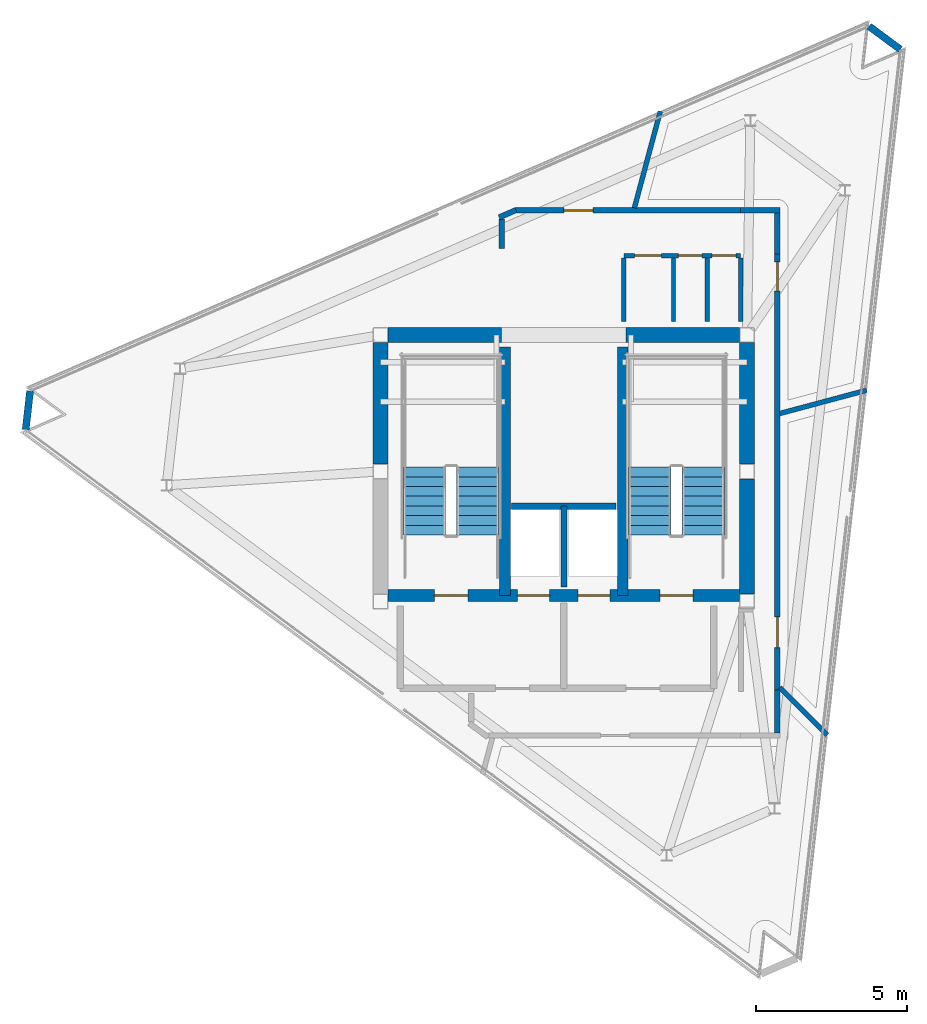
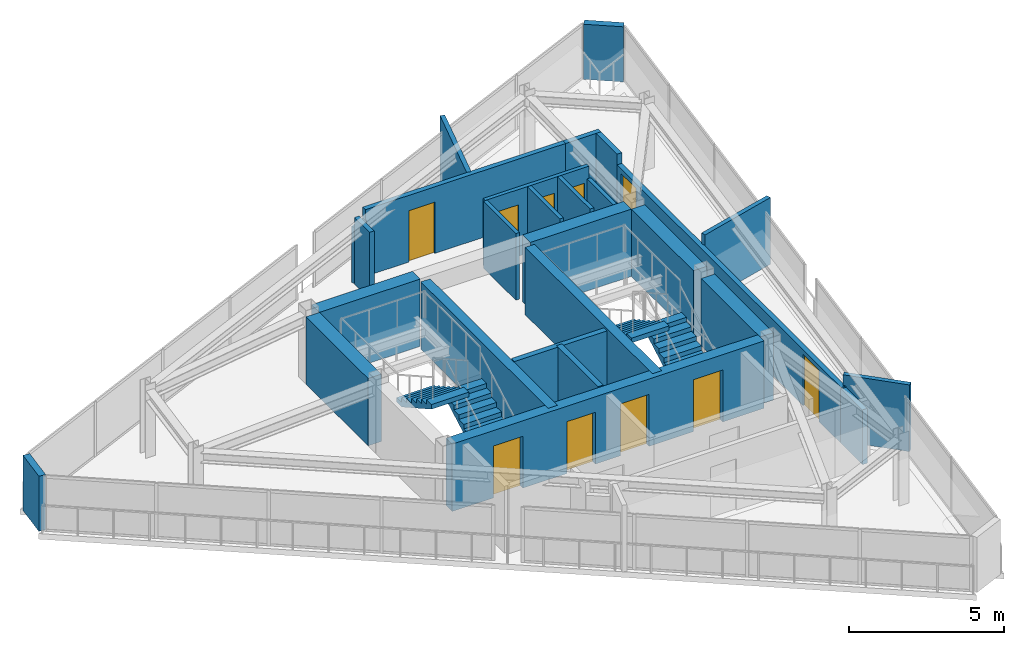
# One storey, part 7 of 9: 27 walls, 10 doors, 4 stair flights, 10 openings, 2 elements without a shape of their own.
"""IFC4 building model written with IfcOpenShell, lengths in metres."""

from ifc_helpers import new_model, si_unit, direction, frame, frame_2d, origin, place, context, subcontext, project, spatial, polyline, rectangle, outline, extrude, material, layer, layer_set, type_object, element, fill, aggregate, save


model = new_model("IFC4")

# Units and contexts
model_context = context("Model", 3, precision=1e-05, world=origin(), true_north=direction((0.0, 1.0)))
body_context = subcontext(model_context, "Body", "Model", "MODEL_VIEW")
ifc_project = project(units=[si_unit("LENGTHUNIT", "METRE"), si_unit("AREAUNIT", "SQUARE_METRE"), si_unit("VOLUMEUNIT", "CUBIC_METRE"), si_unit("PLANEANGLEUNIT", "RADIAN"), si_unit("MASSUNIT", "GRAM", prefix="KILO")], contexts=[model_context])

# Site, building, storey
site_placement = place(None, origin())
site = spatial("IfcSite", under=ifc_project, at=site_placement, CompositionType="ELEMENT")
building_placement = place(site_placement, origin())
building = spatial("IfcBuilding", under=site, at=building_placement, Name="Rocaltana Carrier Exchange", CompositionType="ELEMENT")
storey_placement = place(building_placement, frame((0.0, 0.0, 243.360107421875)))
storey = spatial("IfcBuildingStorey", under=building, at=storey_placement, Name="L77", CompositionType="ELEMENT", Elevation=243.360107421875)

# Walls
ifc_material_1 = material(Name="Double Acoustic Gypsum Partition", Category="gypsum")
ifc_layer_1 = layer(ifc_material_1, 0.159912109375)
ifc_layer_set_1 = layer_set([ifc_layer_1], Name="Double Acoustic Gypsum Partition")
wall_type_1 = type_object("IfcWallType", Name="Acoustic Studio Partition 160 EI60", PredefinedType="PARTITIONING", material=ifc_layer_set_1)
wall_1_placement = place(storey_placement, frame((7.1298828125, -7.1298828125, 0.0), z_axis=(0.0, 0.0, 1.0), x_axis=(0.707106781187, -0.707106781187, 0.0)))
element("IfcWall", 1, at=wall_1_placement, inside=storey, type_object=wall_type_1, Name="L77 Suite Divider Wall D2", PredefinedType="PARTITIONING", context=body_context, shape_type="SweptSolid", body=[
    extrude(rectangle(XDim=2.22412109375, YDim=0.159912109375, at=frame_2d((1.112060546875, 0.0))), origin(), (0.0, 0.0, 1.0), 2.622802734375),
])
wall_2_placement = place(storey_placement, frame((7.1298828125, 1.910400390625, 0.0), z_axis=(0.0, 0.0, 1.0), x_axis=(0.965935580448, 0.258782639342, 0.0)))
element("IfcWall", 2, at=wall_2_placement, inside=storey, type_object=wall_type_1, Name="L77 Suite Divider Wall D3", PredefinedType="PARTITIONING", context=body_context, shape_type="SweptSolid", body=[
    extrude(rectangle(XDim=2.970947265625, YDim=0.159912109375, at=frame_2d((1.4853515625, 0.0))), origin(), (0.0, 0.0, 1.0), 2.622802734375),
])
wall_3_placement = place(storey_placement, frame((2.331298828125, 8.699951171875, 0.0), z_axis=(0.0, 0.0, 1.0), x_axis=(0.258776761059, 0.965937155273, 0.0)))
element("IfcWall", 3, at=wall_3_placement, inside=storey, type_object=wall_type_1, Name="L77 Suite Divider Wall D4", PredefinedType="PARTITIONING", context=body_context, shape_type="SweptSolid", body=[
    extrude(rectangle(XDim=3.300048828125, YDim=0.159912109375, at=frame_2d((1.64990234375, 0.0))), origin(), (0.0, 0.0, 1.0), 2.622802734375),
])
ifc_material_2 = material(Name="Concrete C50/60", Category="concrete")
ifc_layer_2 = layer(ifc_material_2, 0.35009765625)
ifc_layer_set_2 = layer_set([ifc_layer_2], Name="Concrete C50/60")
wall_type_2 = type_object("IfcWallType", Name="Core Internal Shear Wall 350", PredefinedType="SHEAR", material=ifc_layer_set_2)
for number, where, z_axis, x_axis, name in (
    (4, (-1.93994140625, -4.10009765625, 0.0), (0.0, 0.0, 1.0), (0.0, 1.0, 0.0), "L77 Core Shear Wall CW-STW"),
    (5, (1.93994140625, -4.10009765625, 0.0), (0.0, 0.0, 1.0), (0.0, 1.0, 0.0), "L77 Core Shear Wall CW-STE"),
):
    element("IfcWall", number, at=place(storey_placement, frame(where, z_axis=z_axis, x_axis=x_axis)), inside=storey, type_object=wall_type_2, Name=name, PredefinedType="SHEAR", context=body_context, shape_type="SweptSolid", body=[
        extrude(rectangle(XDim=8.2001953125, YDim=0.35009765625, at=frame_2d((4.10009765625, 0.0))), origin(), (0.0, 0.0, 1.0), 2.64794921875),
    ])

# Wall, openings, doors
ifc_material_3 = material(Name="Concrete C50/60", Category="concrete")
ifc_layer_3 = layer(ifc_material_3, 0.39990234375)
ifc_layer_set_3 = layer_set([ifc_layer_3], Name="Concrete C50/60")
wall_type_3 = type_object("IfcWallType", Name="Core Internal Shear Wall 400", PredefinedType="SHEAR", material=ifc_layer_set_3)
wall_4_placement = place(storey_placement, frame((-5.800048828125, -4.10009765625, 0.0), z_axis=(0.0, 0.0, 1.0), x_axis=(1.0, 0.0, 0.0)))
wall_4 = element("IfcWall", 6, at=wall_4_placement, inside=storey, type_object=wall_type_3, Name="L77 Core Shear Wall CW-S", PredefinedType="SHEAR", context=body_context, shape_type="SweptSolid", body=[
    extrude(rectangle(XDim=11.60009765625, YDim=0.39990234375, at=frame_2d((5.800048828125, 0.0))), origin(), (0.0, 0.0, 1.0), 2.64794921875),
])
opening_1_placement = place(wall_4_placement, frame((1.530029296875, 0.0, 0.0)))
opening_1 = element("IfcOpeningElement", 7, at=opening_1_placement, cuts=wall_4, Name="Opening D-ST110", PredefinedType="OPENING", context=body_context, shape_type="SweptSolid", body=[
    extrude(rectangle(XDim=1.10009765625, YDim=2.0400390625, at=frame_2d((0.550048828125, 1.02001953125))), frame((0.0, 0.2099609375, 0.0), z_axis=(0.0, -1.0, 0.0), x_axis=(1.0, 0.0, 0.0)), (0.0, 0.0, 1.0), 0.419921875),
])
opening_2_placement = place(wall_4_placement, frame((8.969970703125, 0.0, 0.0)))
opening_2 = element("IfcOpeningElement", 8, at=opening_2_placement, cuts=wall_4, Name="Opening D-ST110", PredefinedType="OPENING", context=body_context, shape_type="SweptSolid", body=[
    extrude(rectangle(XDim=1.10009765625, YDim=2.0400390625, at=frame_2d((0.550048828125, 1.02001953125))), frame((0.0, 0.2099609375, 0.0), z_axis=(0.0, -1.0, 0.0), x_axis=(1.0, 0.0, 0.0)), (0.0, 0.0, 1.0), 0.419921875),
])
opening_3_placement = place(wall_4_placement, frame((4.27001953125, 0.0, 0.0)))
opening_3 = element("IfcOpeningElement", 9, at=opening_3_placement, cuts=wall_4, Name="Opening LD-110", PredefinedType="OPENING", context=body_context, shape_type="SweptSolid", body=[
    extrude(rectangle(XDim=1.06005859375, YDim=2.0400390625, at=frame_2d((0.530029296875, 1.02001953125))), frame((0.0, 0.2099609375, 0.0), z_axis=(0.0, -1.0, 0.0), x_axis=(1.0, 0.0, 0.0)), (0.0, 0.0, 1.0), 0.419921875),
])
opening_4_placement = place(wall_4_placement, frame((6.27001953125, 0.0, 0.0)))
opening_4 = element("IfcOpeningElement", 10, at=opening_4_placement, cuts=wall_4, Name="Opening LD-110", PredefinedType="OPENING", context=body_context, shape_type="SweptSolid", body=[
    extrude(rectangle(XDim=1.06005859375, YDim=2.0400390625, at=frame_2d((0.530029296875, 1.02001953125))), frame((0.0, 0.2099609375, 0.0), z_axis=(0.0, -1.0, 0.0), x_axis=(1.0, 0.0, 0.0)), (0.0, 0.0, 1.0), 0.419921875),
])
ifc_material_4 = material(Name="Hollow Metal Fire Door Assembly", Category="steel")
door_type_1 = type_object("IfcDoorType", Name="Exit Stair Fire Door 1100x2040 FD90S", OperationType="NOTDEFINED", PredefinedType="DOOR", material=ifc_material_4)
door_1_placement = place(opening_1_placement, origin())
door_1 = element("IfcDoor", 11, at=door_1_placement, inside=storey, type_object=door_type_1, Name="L77 Exit Stair ST1 Fire Door", OperationType="SINGLE_SWING_LEFT", OverallHeight=2.0400390625, OverallWidth=1.10009765625, PredefinedType="DOOR", context=body_context, shape_type="SweptSolid", body=[
    extrude(rectangle(XDim=1.10009765625, YDim=2.0400390625, at=frame_2d((0.550048828125, 1.02001953125))), frame((0.0, 0.02490234375, 0.0), z_axis=(0.0, -1.0, 0.0), x_axis=(1.0, 0.0, 0.0)), (0.0, 0.0, 1.0), 0.050048828125),
])
fill(opening_1, door_1)
door_2_placement = place(opening_2_placement, origin())
door_2 = element("IfcDoor", 12, at=door_2_placement, inside=storey, type_object=door_type_1, Name="L77 Exit Stair ST2 Fire Door", OperationType="SINGLE_SWING_RIGHT", OverallHeight=2.0400390625, OverallWidth=1.10009765625, PredefinedType="DOOR", context=body_context, shape_type="SweptSolid", body=[
    extrude(rectangle(XDim=1.10009765625, YDim=2.0400390625, at=frame_2d((0.550048828125, 1.02001953125))), frame((0.0, 0.02490234375, 0.0), z_axis=(0.0, -1.0, 0.0), x_axis=(1.0, 0.0, 0.0)), (0.0, 0.0, 1.0), 0.050048828125),
])
fill(opening_2, door_2)
ifc_material_5 = material(Name="Brushed Stainless Sliding Door Leaf", Category="steel")
door_type_2 = type_object("IfcDoorType", Name="Lift Landing Sliding Door 1060x2040", OperationType="NOTDEFINED", PredefinedType="DOOR", material=ifc_material_5)
door_3_placement = place(opening_3_placement, origin())
door_3 = element("IfcDoor", 13, at=door_3_placement, inside=storey, type_object=door_type_2, Name="L77 Firefighting Lift FFL1 Landing Door", OperationType="SLIDING_TO_LEFT", OverallHeight=2.0400390625, OverallWidth=1.06005859375, PredefinedType="DOOR", context=body_context, shape_type="SweptSolid", body=[
    extrude(rectangle(XDim=1.06005859375, YDim=2.0400390625, at=frame_2d((0.530029296875, 1.02001953125))), frame((0.0, 0.02490234375, 0.0), z_axis=(0.0, -1.0, 0.0), x_axis=(1.0, 0.0, 0.0)), (0.0, 0.0, 1.0), 0.050048828125),
])
fill(opening_3, door_3)
door_4_placement = place(opening_4_placement, origin())
door_4 = element("IfcDoor", 14, at=door_4_placement, inside=storey, type_object=door_type_2, Name="L77 Firefighting Lift FFL2 Landing Door", OperationType="SLIDING_TO_RIGHT", OverallHeight=2.0400390625, OverallWidth=1.06005859375, PredefinedType="DOOR", context=body_context, shape_type="SweptSolid", body=[
    extrude(rectangle(XDim=1.06005859375, YDim=2.0400390625, at=frame_2d((0.530029296875, 1.02001953125))), frame((0.0, 0.02490234375, 0.0), z_axis=(0.0, -1.0, 0.0), x_axis=(1.0, 0.0, 0.0)), (0.0, 0.0, 1.0), 0.050048828125),
])
fill(opening_4, door_4)

# Walls
ifc_material_6 = material(Name="Concrete C50/60", Category="concrete")
ifc_layer_4 = layer(ifc_material_6, 0.5)
ifc_layer_set_4 = layer_set([ifc_layer_4], Name="Concrete C50/60")
wall_type_4 = type_object("IfcWallType", Name="Core Shear Wall 500", PredefinedType="SHEAR", material=ifc_layer_set_4)
for number, where, z_axis, x_axis, name in (
    (15, (-6.050048828125, 0.25, 0.0), (0.0, 0.0, 1.0), (0.0, 1.0, 0.0), "L77 Core Shear Wall CW-WN"),
    (16, (6.050048828125, 0.25, 0.0), (0.0, 0.0, 1.0), (0.0, 1.0, 0.0), "L77 Core Shear Wall CW-EN"),
):
    element("IfcWall", number, at=place(storey_placement, frame(where, z_axis=z_axis, x_axis=x_axis)), inside=storey, type_object=wall_type_4, Name=name, PredefinedType="SHEAR", context=body_context, shape_type="SweptSolid", body=[
        extrude(rectangle(XDim=4.0, YDim=0.5, at=frame_2d((2.0, 0.0))), origin(), (0.0, 0.0, 1.0), 2.64794921875),
    ])
wall_5_placement = place(storey_placement, frame((6.050048828125, -4.050048828125, 0.0), z_axis=(0.0, 0.0, 1.0), x_axis=(0.0, 1.0, 0.0)))
element("IfcWall", 17, at=wall_5_placement, inside=storey, type_object=wall_type_4, Name="L77 Core Shear Wall CW-ES", PredefinedType="SHEAR", context=body_context, shape_type="SweptSolid", body=[
    extrude(rectangle(XDim=3.800048828125, YDim=0.5, at=frame_2d((1.89990234375, 0.0))), origin(), (0.0, 0.0, 1.0), 2.64794921875),
])
for number, where, z_axis, x_axis, name in (
    (18, (-5.800048828125, 4.5, 0.0), (0.0, 0.0, 1.0), (1.0, 0.0, 0.0), "L77 Core Shear Wall CW-N1"),
    (19, (2.050048828125, 4.5, 0.0), (0.0, 0.0, 1.0), (1.0, 0.0, 0.0), "L77 Core Shear Wall CW-N2"),
):
    element("IfcWall", number, at=place(storey_placement, frame(where, z_axis=z_axis, x_axis=x_axis)), inside=storey, type_object=wall_type_4, Name=name, PredefinedType="SHEAR", context=body_context, shape_type="SweptSolid", body=[
        extrude(rectangle(XDim=3.75, YDim=0.5, at=frame_2d((1.875, 0.0))), origin(), (0.0, 0.0, 1.0), 2.64794921875),
    ])
ifc_material_7 = material(Name="Gypsum & Steel Stud Partition", Category="steel")
ifc_layer_5 = layer(ifc_material_7, 0.179931640625)
ifc_layer_set_5 = layer_set([ifc_layer_5], Name="Gypsum & Steel Stud Partition")
wall_type_5 = type_object("IfcWallType", Name="Corridor Fire Partition 180 EI60", PredefinedType="PARTITIONING", material=ifc_layer_set_5)
wall_6_placement = place(storey_placement, frame((-2.050048828125, 7.360107421875, 0.0), z_axis=(0.0, 0.0, 1.0), x_axis=(0.0, 1.0, 0.0)))
element("IfcWall", 20, at=wall_6_placement, inside=storey, type_object=wall_type_5, Name="L77 Corridor Partition 6", PredefinedType="PARTITIONING", context=body_context, shape_type="SweptSolid", body=[
    extrude(rectangle(XDim=0.972900390625, YDim=0.179931640625, at=frame_2d((0.486328125, 0.0))), origin(), (0.0, 0.0, 1.0), 2.622802734375),
])
wall_7_placement = place(storey_placement, frame((-2.132568359375, 8.386962890625, 0.0), z_axis=(0.0, 0.0, 1.0), x_axis=(0.917063633355, 0.398740883754, 0.0)))
element("IfcWall", 21, at=wall_7_placement, inside=storey, type_object=wall_type_5, Name="L77 Corridor Partition 7", PredefinedType="PARTITIONING", context=body_context, shape_type="SweptSolid", body=[
    extrude(rectangle(XDim=0.604248046875, YDim=0.179931640625, at=frame_2d((0.30224609375, 0.0))), origin(), (0.0, 0.0, 1.0), 2.202880859375),
])

# Wall, opening, door
wall_8_placement = place(storey_placement, frame((-1.61669921875, 8.6201171875, 0.0), z_axis=(0.0, 0.0, 1.0), x_axis=(1.0, 0.0, 0.0)))
wall_8 = element("IfcWall", 22, at=wall_8_placement, inside=storey, type_object=wall_type_5, Name="L77 Corridor Partition 8", PredefinedType="PARTITIONING", context=body_context, shape_type="SweptSolid", body=[
    extrude(rectangle(XDim=7.48681640625, YDim=0.179931640625, at=frame_2d((3.743408203125, 0.0))), origin(), (0.0, 0.0, 1.0), 2.622802734375),
])
opening_5_placement = place(wall_8_placement, frame((1.623046875, 0.0, 0.0)))
opening_5 = element("IfcOpeningElement", 23, at=opening_5_placement, cuts=wall_8, Name="Opening D-RM098", PredefinedType="OPENING", context=body_context, shape_type="SweptSolid", body=[
    extrude(rectangle(XDim=0.9599609375, YDim=2.02001953125, at=frame_2d((0.47998046875, 1.010009765625))), frame((0.0, 0.099853515625, 0.0), z_axis=(0.0, -1.0, 0.0), x_axis=(1.0, 0.0, 0.0)), (0.0, 0.0, 1.0), 0.199951171875),
])
ifc_material_8 = material(Name="Engineered Hardwood Timber", Category="wood")
door_type_3 = type_object("IfcDoorType", Name="Workspace Single Door 960x2020", OperationType="NOTDEFINED", PredefinedType="DOOR", material=ifc_material_8)
door_5_placement = place(opening_5_placement, origin())
door_5 = element("IfcDoor", 24, at=door_5_placement, inside=storey, type_object=door_type_3, Name="L77 Quiet Focus Lounge Entrance Door", OperationType="SINGLE_SWING_LEFT", OverallHeight=2.02001953125, OverallWidth=0.9599609375, PredefinedType="DOOR", context=body_context, shape_type="SweptSolid", body=[
    extrude(rectangle(XDim=0.9599609375, YDim=2.02001953125, at=frame_2d((0.47998046875, 1.010009765625))), frame((0.0, 0.02490234375, 0.0), z_axis=(0.0, -1.0, 0.0), x_axis=(1.0, 0.0, 0.0)), (0.0, 0.0, 1.0), 0.050048828125),
])
fill(opening_5, door_5)

# Walls
wall_9_placement = place(storey_placement, frame((5.830078125, 8.6201171875, 0.0), z_axis=(0.0, 0.0, 1.0), x_axis=(1.0, 0.0, 0.0)))
element("IfcWall", 25, at=wall_9_placement, inside=storey, type_object=wall_type_5, Name="L77 Corridor Partition 9", PredefinedType="PARTITIONING", context=body_context, shape_type="SweptSolid", body=[
    extrude(rectangle(XDim=1.309814453125, YDim=0.179931640625, at=frame_2d((0.65478515625, 0.0))), origin(), (0.0, 0.0, 1.0), 2.622802734375),
])
wall_10_placement = place(storey_placement, frame((7.050048828125, 8.530029296875, 0.0), z_axis=(0.0, 0.0, 1.0), x_axis=(0.0, -1.0, 0.0)))
element("IfcWall", 26, at=wall_10_placement, inside=storey, type_object=wall_type_5, Name="L77 Corridor Partition 10", PredefinedType="PARTITIONING", context=body_context, shape_type="SweptSolid", body=[
    extrude(rectangle(XDim=1.35009765625, YDim=0.179931640625, at=frame_2d((0.675048828125, 0.0))), origin(), (0.0, 0.0, 1.0), 2.622802734375),
])

# Wall, openings, doors
wall_11_placement = place(storey_placement, frame((7.050048828125, 7.219970703125, 0.0), z_axis=(0.0, 0.0, 1.0), x_axis=(0.0, -1.0, 0.0)))
wall_11 = element("IfcWall", 27, at=wall_11_placement, inside=storey, type_object=wall_type_5, Name="L77 Corridor Partition 11", PredefinedType="PARTITIONING", context=body_context, shape_type="SweptSolid", body=[
    extrude(rectangle(XDim=14.47998046875, YDim=0.179931640625, at=frame_2d((7.239990234375, 0.0))), origin(), (0.0, 0.0, 1.0), 2.202880859375),
])
opening_6_placement = place(wall_11_placement, frame((12.019287109375, 0.0, 0.0)))
opening_6 = element("IfcOpeningElement", 28, at=opening_6_placement, cuts=wall_11, Name="Opening D-LB104", PredefinedType="OPENING", context=body_context, shape_type="SweptSolid", body=[
    extrude(rectangle(XDim=1.02001953125, YDim=2.02001953125, at=frame_2d((0.510009765625, 1.010009765625))), frame((0.0, 0.099853515625, 0.0), z_axis=(0.0, -1.0, 0.0), x_axis=(1.0, 0.0, 0.0)), (0.0, 0.0, 1.0), 0.199951171875),
])
opening_7_placement = place(wall_11_placement, frame((0.30029296875, 0.0, 0.0)))
opening_7 = element("IfcOpeningElement", 29, at=opening_7_placement, cuts=wall_11, Name="Opening D-RM098", PredefinedType="OPENING", context=body_context, shape_type="SweptSolid", body=[
    extrude(rectangle(XDim=0.9599609375, YDim=2.02001953125, at=frame_2d((0.47998046875, 1.010009765625))), frame((0.0, 0.099853515625, 0.0), z_axis=(0.0, -1.0, 0.0), x_axis=(1.0, 0.0, 0.0)), (0.0, 0.0, 1.0), 0.199951171875),
])
ifc_material_9 = material(Name="Powder-Coated Aluminium 6063-T6", Category="aluminium")
door_type_4 = type_object("IfcDoorType", Name="Laboratory Acoustic Door 1020x2020", OperationType="NOTDEFINED", PredefinedType="DOOR", material=ifc_material_9)
door_6_placement = place(opening_6_placement, origin())
door_6 = element("IfcDoor", 30, at=door_6_placement, inside=storey, type_object=door_type_4, Name="L77 Optical Switching Laboratory Entrance Door", OperationType="SINGLE_SWING_LEFT", OverallHeight=2.02001953125, OverallWidth=1.02001953125, PredefinedType="DOOR", context=body_context, shape_type="SweptSolid", body=[
    extrude(rectangle(XDim=1.02001953125, YDim=2.02001953125, at=frame_2d((0.510009765625, 1.010009765625))), frame((0.0, 0.02490234375, 0.0), z_axis=(0.0, -1.0, 0.0), x_axis=(1.0, 0.0, 0.0)), (0.0, 0.0, 1.0), 0.050048828125),
])
fill(opening_6, door_6)
door_7_placement = place(opening_7_placement, origin())
door_7 = element("IfcDoor", 31, at=door_7_placement, inside=storey, type_object=door_type_3, Name="L77 Peering Conference Room Entrance Door", OperationType="SINGLE_SWING_RIGHT", OverallHeight=2.02001953125, OverallWidth=0.9599609375, PredefinedType="DOOR", context=body_context, shape_type="SweptSolid", body=[
    extrude(rectangle(XDim=0.9599609375, YDim=2.02001953125, at=frame_2d((0.47998046875, 1.010009765625))), frame((0.0, 0.02490234375, 0.0), z_axis=(0.0, -1.0, 0.0), x_axis=(1.0, 0.0, 0.0)), (0.0, 0.0, 1.0), 0.050048828125),
])
fill(opening_7, door_7)

# Walls
wall_12_placement = place(storey_placement, frame((7.050048828125, -7.219970703125, 0.0), z_axis=(0.0, 0.0, 1.0), x_axis=(0.0, -1.0, 0.0)))
element("IfcWall", 32, at=wall_12_placement, inside=storey, type_object=wall_type_5, Name="L77 Corridor Partition 12", PredefinedType="PARTITIONING", context=body_context, shape_type="SweptSolid", body=[
    extrude(rectangle(XDim=1.409912109375, YDim=0.179931640625, at=frame_2d((0.705078125, 0.0))), origin(), (0.0, 0.0, 1.0), 2.15283203125),
])
ifc_material_10 = material(Name="Reinforced Concrete Block C35/45", Category="concrete")
ifc_layer_6 = layer(ifc_material_10, 0.199951171875)
ifc_layer_set_6 = layer_set([ifc_layer_6], Name="Reinforced Concrete Block C35/45")
wall_type_6 = type_object("IfcWallType", Name="Lift Hoistway Enclosure Wall 200 EI120", PredefinedType="PARTITIONING", material=ifc_layer_set_6)
wall_13_placement = place(storey_placement, frame((0.0, -3.820068359375, 0.0), z_axis=(0.0, 0.0, 1.0), x_axis=(0.0, 1.0, 0.0)))
element("IfcWall", 33, at=wall_13_placement, inside=storey, type_object=wall_type_6, Name="L77 FFL Shaft Divider", PredefinedType="PARTITIONING", context=body_context, shape_type="SweptSolid", body=[
    extrude(rectangle(XDim=2.670166015625, YDim=0.199951171875, at=frame_2d((1.3349609375, 0.0))), origin(), (0.0, 0.0, 1.0), 2.622802734375),
])
wall_14_placement = place(storey_placement, frame((-1.719970703125, -1.14990234375, 0.0), z_axis=(0.0, 0.0, 1.0), x_axis=(1.0, 0.0, 0.0)))
element("IfcWall", 34, at=wall_14_placement, inside=storey, type_object=wall_type_6, Name="L77 FFL Shaft Back Wall", PredefinedType="PARTITIONING", context=body_context, shape_type="SweptSolid", body=[
    extrude(rectangle(XDim=3.43994140625, YDim=0.199951171875, at=frame_2d((1.719970703125, 0.0))), origin(), (0.0, 0.0, 1.0), 2.622802734375),
])
ifc_material_11 = material(Name="Precast sandstone concrete C40/50", Category="masonry")
ifc_layer_7 = layer(ifc_material_11, 0.239990234375)
ifc_layer_set_7 = layer_set([ifc_layer_7], Name="Precast sandstone concrete C40/50")
wall_type_7 = type_object("IfcWallType", Name="Terrace Stone Parapet Wall 240", PredefinedType="PARAPET", material=ifc_layer_set_7)
for number, where, z_axis, x_axis, name in (
    (35, (11.1103515625, 13.931884765625, 0.0), (0.0, 0.0, 1.0), (-0.803939758325, 0.5947107406, 0.0), "L77 Crown Corner Mullion Wall C1"),
    (36, (-17.62060546875, 2.656005859375, 0.0), (0.0, 0.0, 1.0), (-0.11313504355, -0.993579620323, 0.0), "L77 Crown Corner Mullion Wall C2"),
):
    element("IfcWall", number, at=place(storey_placement, frame(where, z_axis=z_axis, x_axis=x_axis)), inside=storey, type_object=wall_type_7, Name=name, PredefinedType="PARAPET", context=body_context, shape_type="SweptSolid", body=[
        extrude(rectangle(XDim=1.288330078125, YDim=0.239990234375, at=frame_2d((0.64404296875, 0.0))), origin(), (0.0, 0.0, 1.0), 2.16796875),
    ])
ifc_material_12 = material(Name="Moisture-Resistant Masonry C30/37", Category="masonry")
ifc_layer_8 = layer(ifc_material_12, 0.139892578125)
ifc_layer_set_8 = layer_set([ifc_layer_8], Name="Moisture-Resistant Masonry C30/37")
wall_type_8 = type_object("IfcWallType", Name="Wet-Area Sanitary Partition 140", PredefinedType="PARTITIONING", material=ifc_layer_set_8)
wall_15_placement = place(storey_placement, frame((1.97998046875, 4.949951171875, 0.0), z_axis=(0.0, 0.0, 1.0), x_axis=(0.0, 1.0, 0.0)))
element("IfcWall", 37, at=wall_15_placement, inside=storey, type_object=wall_type_8, Name="L77 Sanitary West Wall", PredefinedType="PARTITIONING", context=body_context, shape_type="SweptSolid", body=[
    extrude(rectangle(XDim=2.090087890625, YDim=0.139892578125, at=frame_2d((1.044921875, 0.0))), origin(), (0.0, 0.0, 1.0), 2.622802734375),
])
wall_16_placement = place(storey_placement, frame((5.840087890625, 4.949951171875, 0.0), z_axis=(0.0, 0.0, 1.0), x_axis=(0.0, 1.0, 0.0)))
element("IfcWall", 38, at=wall_16_placement, inside=storey, type_object=wall_type_8, Name="L77 Sanitary East Wall", PredefinedType="PARTITIONING", context=body_context, shape_type="SweptSolid", body=[
    extrude(rectangle(XDim=2.090087890625, YDim=0.139892578125, at=frame_2d((1.044921875, 0.0))), origin(), (0.0, 0.0, 1.0), 2.15283203125),
])

# Wall, openings, doors
wall_17_placement = place(storey_placement, frame((1.97998046875, 7.1201171875, 0.0), z_axis=(0.0, 0.0, 1.0), x_axis=(1.0, 0.0, 0.0)))
wall_17 = element("IfcWall", 39, at=wall_17_placement, inside=storey, type_object=wall_type_8, Name="L77 Sanitary North Wall", PredefinedType="PARTITIONING", context=body_context, shape_type="SweptSolid", body=[
    extrude(rectangle(XDim=3.860107421875, YDim=0.139892578125, at=frame_2d((1.93017578125, 0.0))), origin(), (0.0, 0.0, 1.0), 2.622802734375),
])
opening_8_placement = place(wall_17_placement, frame((0.360107421875, 0.0, 0.0)))
opening_8 = element("IfcOpeningElement", 40, at=opening_8_placement, cuts=wall_17, Name="Opening D-WC090", PredefinedType="OPENING", context=body_context, shape_type="SweptSolid", body=[
    extrude(rectangle(XDim=0.8798828125, YDim=2.02001953125, at=frame_2d((0.43994140625, 1.010009765625))), frame((0.0, 0.079833984375, 0.0), z_axis=(0.0, -1.0, 0.0), x_axis=(1.0, 0.0, 0.0)), (0.0, 0.0, 1.0), 0.159912109375),
])
opening_9_placement = place(wall_17_placement, frame((1.800048828125, 0.0, 0.0)))
opening_9 = element("IfcOpeningElement", 41, at=opening_9_placement, cuts=wall_17, Name="Opening D-RS082", PredefinedType="OPENING", context=body_context, shape_type="SweptSolid", body=[
    extrude(rectangle(XDim=0.780029296875, YDim=2.010009765625, at=frame_2d((0.39013671875, 1.0048828125))), frame((0.0, 0.079833984375, 0.0), z_axis=(0.0, -1.0, 0.0), x_axis=(1.0, 0.0, 0.0)), (0.0, 0.0, 1.0), 0.159912109375),
])
opening_10_placement = place(wall_17_placement, frame((2.919921875, 0.0, 0.0)))
opening_10 = element("IfcOpeningElement", 42, at=opening_10_placement, cuts=wall_17, Name="Opening D-RS082", PredefinedType="OPENING", context=body_context, shape_type="SweptSolid", body=[
    extrude(rectangle(XDim=0.780029296875, YDim=2.010009765625, at=frame_2d((0.39013671875, 1.0048828125))), frame((0.0, 0.079833984375, 0.0), z_axis=(0.0, -1.0, 0.0), x_axis=(1.0, 0.0, 0.0)), (0.0, 0.0, 1.0), 0.159912109375),
])
ifc_material_13 = material(Name="High-Pressure Laminate Timber", Category="wood")
door_type_5 = type_object("IfcDoorType", Name="Restroom & Accessible WC Door 880x2020", OperationType="NOTDEFINED", PredefinedType="DOOR", material=ifc_material_13)
door_8_placement = place(opening_8_placement, origin())
door_8 = element("IfcDoor", 43, at=door_8_placement, inside=storey, type_object=door_type_5, Name="L77 Accessible Toilet Door", OperationType="SINGLE_SWING_LEFT", OverallHeight=2.02001953125, OverallWidth=0.8798828125, PredefinedType="DOOR", context=body_context, shape_type="SweptSolid", body=[
    extrude(rectangle(XDim=0.8798828125, YDim=2.02001953125, at=frame_2d((0.43994140625, 1.010009765625))), frame((0.0, 0.02490234375, 0.0), z_axis=(0.0, -1.0, 0.0), x_axis=(1.0, 0.0, 0.0)), (0.0, 0.0, 1.0), 0.050048828125),
])
fill(opening_8, door_8)
ifc_material_14 = material(Name="Hollow Metal Access Door Leaf", Category="steel")
door_type_6 = type_object("IfcDoorType", Name="Riser & Service Closet Door 780x2010", OperationType="NOTDEFINED", PredefinedType="DOOR", material=ifc_material_14)
door_9_placement = place(opening_9_placement, origin())
door_9 = element("IfcDoor", 44, at=door_9_placement, inside=storey, type_object=door_type_6, Name="L77 Staff Restroom Door", OperationType="SINGLE_SWING_RIGHT", OverallHeight=2.010009765625, OverallWidth=0.780029296875, PredefinedType="DOOR", context=body_context, shape_type="SweptSolid", body=[
    extrude(rectangle(XDim=0.780029296875, YDim=2.010009765625, at=frame_2d((0.39013671875, 1.0048828125))), frame((0.0, 0.02490234375, 0.0), z_axis=(0.0, -1.0, 0.0), x_axis=(1.0, 0.0, 0.0)), (0.0, 0.0, 1.0), 0.050048828125),
])
fill(opening_9, door_9)
door_10_placement = place(opening_10_placement, origin())
door_10 = element("IfcDoor", 45, at=door_10_placement, inside=storey, type_object=door_type_6, Name="L77 Fibre Riser Closet Door", OperationType="SINGLE_SWING_LEFT", OverallHeight=2.010009765625, OverallWidth=0.780029296875, PredefinedType="DOOR", context=body_context, shape_type="SweptSolid", body=[
    extrude(rectangle(XDim=0.780029296875, YDim=2.010009765625, at=frame_2d((0.39013671875, 1.0048828125))), frame((0.0, 0.02490234375, 0.0), z_axis=(0.0, -1.0, 0.0), x_axis=(1.0, 0.0, 0.0)), (0.0, 0.0, 1.0), 0.050048828125),
])
fill(opening_10, door_10)

# Walls
for number, where, z_axis, x_axis, name in (
    (46, (3.6201171875, 4.949951171875, 0.0), (0.0, 0.0, 1.0), (0.0, 1.0, 0.0), "L77 Sanitary Divider 1"),
    (47, (4.739990234375, 4.949951171875, 0.0), (0.0, 0.0, 1.0), (0.0, 1.0, 0.0), "L77 Sanitary Divider 2"),
):
    element("IfcWall", number, at=place(storey_placement, frame(where, z_axis=z_axis, x_axis=x_axis)), inside=storey, type_object=wall_type_8, Name=name, PredefinedType="PARTITIONING", context=body_context, shape_type="SweptSolid", body=[
        extrude(rectangle(XDim=2.090087890625, YDim=0.139892578125, at=frame_2d((1.044921875, 0.0))), origin(), (0.0, 0.0, 1.0), 2.622802734375),
    ])

# Stair, stair flights
ifc_material_15 = material(Name="Precast concrete C45/55", Category="concrete")
stair_type = type_object("IfcStairType", Name="Standard Dog-Leg Stair 160", PredefinedType="HALF_TURN_STAIR", material=ifc_material_15)
stair_1_placement = place(storey_placement, origin())
stair_1 = element("IfcStair", 48, at=stair_1_placement, inside=storey, type_object=stair_type, Name="L77 Core West Exit Stair ST-1", PredefinedType="HALF_TURN_STAIR")
ifc_material_16 = material(Name="Precast concrete C45/55", Category="concrete")
stair_flight_type = type_object("IfcStairFlightType", Name="Precast Stair Flight 160", PredefinedType="STRAIGHT", material=ifc_material_16)
stair_flight_1_placement = place(storey_placement, frame((-2.840087890625, -2.10009765625, 0.0), z_axis=(0.0, 0.0, 1.0), x_axis=(0.0, 1.0, 0.0)))
stair_flight_1 = element("IfcStairFlight", 49, at=stair_flight_1_placement, type_object=stair_flight_type, Name="ST-1 flight 1", NumberOfRisers=8, NumberOfTreads=7, PredefinedType="STRAIGHT", RiserHeight=0.18, TreadLength=0.32, context=body_context, shape_type="SweptSolid", body=[
    extrude(outline(polyline([(0.0, 0.0), (0.0, 0.179931640625), (0.320068359375, 0.179931640625), (0.320068359375, 0.360107421875), (0.639892578125, 0.360107421875), (0.639892578125, 0.5400390625), (0.9599609375, 0.5400390625), (0.9599609375, 0.719970703125), (1.280029296875, 0.719970703125), (1.280029296875, 0.89990234375), (1.60009765625, 0.89990234375), (1.60009765625, 1.080078125), (1.919921875, 1.080078125), (1.919921875, 1.260009765625), (2.239990234375, 1.260009765625), (2.239990234375, 1.43994140625), (2.239990234375, 1.076416015625), (0.326171875, 0.0), (0.0, 0.0)])), frame((0.0, 0.699951171875, 0.0), z_axis=(0.0, -1.0, 0.0), x_axis=(1.0, 0.0, 0.0)), (0.0, 0.0, 1.0), 1.39990234375),
])
stair_flight_2_placement = place(storey_placement, frame((-4.60009765625, 0.139892578125, 1.43994140625), z_axis=(0.0, 0.0, 1.0), x_axis=(0.0, -1.0, 0.0)))
stair_flight_2 = element("IfcStairFlight", 50, at=stair_flight_2_placement, type_object=stair_flight_type, Name="ST-1 flight 2", NumberOfRisers=8, NumberOfTreads=7, PredefinedType="STRAIGHT", RiserHeight=0.18, TreadLength=0.32, context=body_context, shape_type="SweptSolid", body=[
    extrude(outline(polyline([(0.0, 0.0), (0.0, 0.179931640625), (0.320068359375, 0.179931640625), (0.320068359375, 0.360107421875), (0.639892578125, 0.360107421875), (0.639892578125, 0.5400390625), (0.9599609375, 0.5400390625), (0.9599609375, 0.719970703125), (1.280029296875, 0.719970703125), (1.280029296875, 0.89990234375), (1.60009765625, 0.89990234375), (1.60009765625, 1.080078125), (1.919921875, 1.080078125), (1.919921875, 1.260009765625), (2.239990234375, 1.260009765625), (2.239990234375, 1.43994140625), (2.239990234375, 1.076416015625), (0.326171875, 0.0), (0.0, 0.0)])), frame((0.0, 0.699951171875, 0.0), z_axis=(0.0, -1.0, 0.0), x_axis=(1.0, 0.0, 0.0)), (0.0, 0.0, 1.0), 1.39990234375),
])
aggregate(stair_1, [stair_flight_1, stair_flight_2])

stair_2_placement = place(storey_placement, origin())
stair_2 = element("IfcStair", 51, at=stair_2_placement, inside=storey, type_object=stair_type, Name="L77 Core East Exit Stair ST-2", PredefinedType="HALF_TURN_STAIR")
stair_flight_3_placement = place(storey_placement, frame((4.60009765625, -2.10009765625, 0.0), z_axis=(0.0, 0.0, 1.0), x_axis=(0.0, 1.0, 0.0)))
stair_flight_3 = element("IfcStairFlight", 52, at=stair_flight_3_placement, type_object=stair_flight_type, Name="ST-2 flight 1", NumberOfRisers=8, NumberOfTreads=7, PredefinedType="STRAIGHT", RiserHeight=0.18, TreadLength=0.32, context=body_context, shape_type="SweptSolid", body=[
    extrude(outline(polyline([(0.0, 0.0), (0.0, 0.179931640625), (0.320068359375, 0.179931640625), (0.320068359375, 0.360107421875), (0.639892578125, 0.360107421875), (0.639892578125, 0.5400390625), (0.9599609375, 0.5400390625), (0.9599609375, 0.719970703125), (1.280029296875, 0.719970703125), (1.280029296875, 0.89990234375), (1.60009765625, 0.89990234375), (1.60009765625, 1.080078125), (1.919921875, 1.080078125), (1.919921875, 1.260009765625), (2.239990234375, 1.260009765625), (2.239990234375, 1.43994140625), (2.239990234375, 1.076416015625), (0.326171875, 0.0), (0.0, 0.0)])), frame((0.0, 0.699951171875, 0.0), z_axis=(0.0, -1.0, 0.0), x_axis=(1.0, 0.0, 0.0)), (0.0, 0.0, 1.0), 1.39990234375),
])
stair_flight_4_placement = place(storey_placement, frame((2.840087890625, 0.139892578125, 1.43994140625), z_axis=(0.0, 0.0, 1.0), x_axis=(0.0, -1.0, 0.0)))
stair_flight_4 = element("IfcStairFlight", 53, at=stair_flight_4_placement, type_object=stair_flight_type, Name="ST-2 flight 2", NumberOfRisers=8, NumberOfTreads=7, PredefinedType="STRAIGHT", RiserHeight=0.18, TreadLength=0.32, context=body_context, shape_type="SweptSolid", body=[
    extrude(outline(polyline([(0.0, 0.0), (0.0, 0.179931640625), (0.320068359375, 0.179931640625), (0.320068359375, 0.360107421875), (0.639892578125, 0.360107421875), (0.639892578125, 0.5400390625), (0.9599609375, 0.5400390625), (0.9599609375, 0.719970703125), (1.280029296875, 0.719970703125), (1.280029296875, 0.89990234375), (1.60009765625, 0.89990234375), (1.60009765625, 1.080078125), (1.919921875, 1.080078125), (1.919921875, 1.260009765625), (2.239990234375, 1.260009765625), (2.239990234375, 1.43994140625), (2.239990234375, 1.076416015625), (0.326171875, 0.0), (0.0, 0.0)])), frame((0.0, 0.699951171875, 0.0), z_axis=(0.0, -1.0, 0.0), x_axis=(1.0, 0.0, 0.0)), (0.0, 0.0, 1.0), 1.39990234375),
])
aggregate(stair_2, [stair_flight_3, stair_flight_4])

save(model, "model.ifc")
